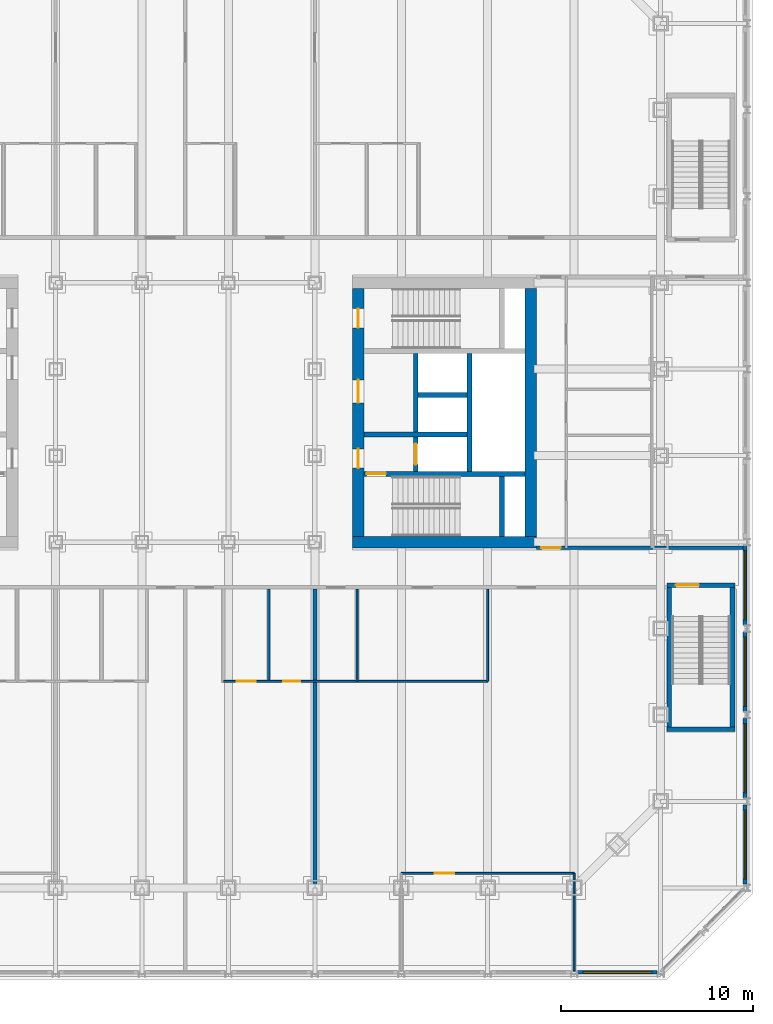
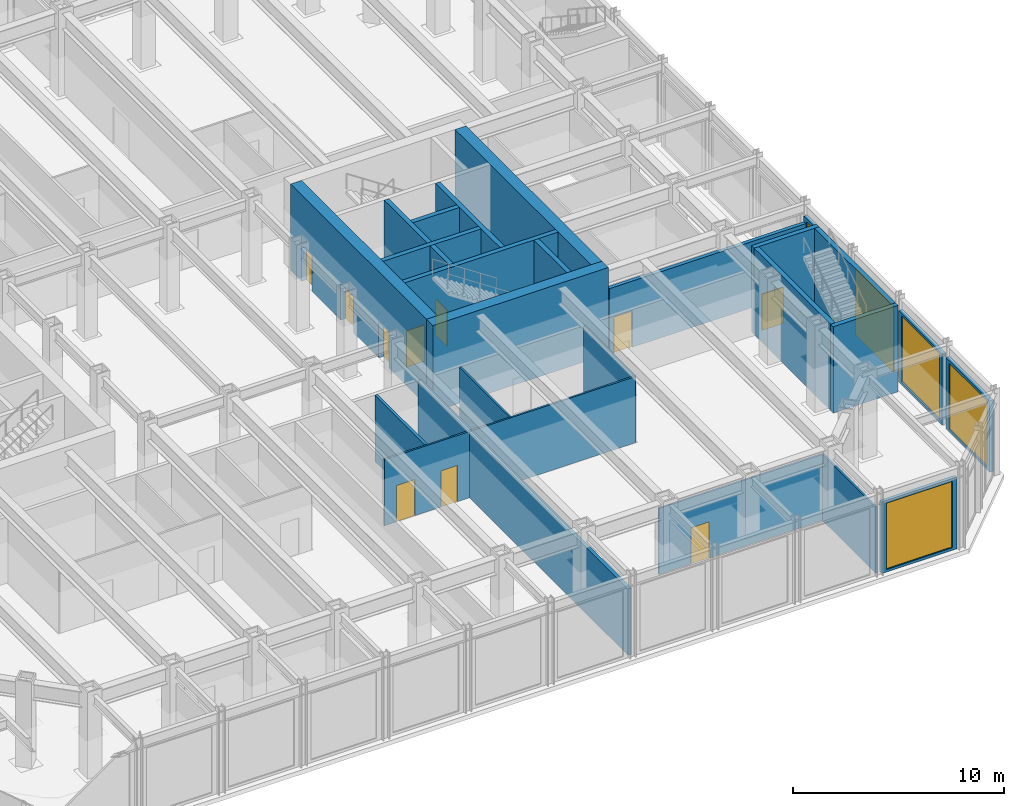
# One storey, part 12 of 19: 27 walls, 10 doors, 5 windows, 15 openings.
"""IFC4 building model written with IfcOpenShell, lengths in metres."""

from ifc_helpers import new_model, si_unit, direction, frame, frame_2d, origin, place, context, subcontext, project, spatial, rectangle, extrude, material, layer, layer_set, type_object, element, fill, save


model = new_model("IFC4")

# Units and contexts
model_context = context("Model", 3, precision=1e-05, world=origin(), true_north=direction((0.0, 1.0)))
body_context = subcontext(model_context, "Body", "Model", "MODEL_VIEW")
ifc_project = project(units=[si_unit("LENGTHUNIT", "METRE"), si_unit("AREAUNIT", "SQUARE_METRE"), si_unit("VOLUMEUNIT", "CUBIC_METRE"), si_unit("PLANEANGLEUNIT", "RADIAN"), si_unit("MASSUNIT", "GRAM", prefix="KILO")], contexts=[model_context])

# Site, building, storey
site_placement = place(None, origin())
site = spatial("IfcSite", under=ifc_project, at=site_placement, CompositionType="ELEMENT")
building_placement = place(site_placement, origin())
building = spatial("IfcBuilding", under=site, at=building_placement, Name="Msasa Ring Tower", CompositionType="ELEMENT")
storey_placement = place(building_placement, frame((0.0, 0.0, 11.0)))
storey = spatial("IfcBuildingStorey", under=building, at=storey_placement, Name="L02", CompositionType="ELEMENT", Elevation=11.0)

# Wall
ifc_material_1 = material(Name="Concrete C60/75", Category="concrete")
ifc_layer_1 = layer(ifc_material_1, 0.60009765625)
ifc_layer_set_1 = layer_set([ifc_layer_1], Name="CW1 CORE WALL 600")
wall_type_1 = type_object("IfcWallType", Name="CW1 CORE WALL 600", PredefinedType="SHEAR", material=ifc_layer_set_1)
wall_1_placement = place(storey_placement, frame((8.699951171875, -6.75, 0.0), z_axis=(0.0, 0.0, 1.0), x_axis=(1.0, 0.0, 0.0)))
element("IfcWall", 1, at=wall_1_placement, inside=storey, type_object=wall_type_1, Name="E core wall S L02", PredefinedType="SHEAR", context=body_context, shape_type="SweptSolid", body=[
    extrude(rectangle(XDim=9.60009765625, YDim=0.60009765625, at=frame_2d((4.800048828125, 0.0))), origin(), (0.0, 0.0, 1.0), 5.0),
])

# Wall, openings, doors
wall_2_placement = place(storey_placement, frame((9.0, -6.449951171875, 0.0), z_axis=(0.0, 0.0, 1.0), x_axis=(0.0, 1.0, 0.0)))
wall_2 = element("IfcWall", 2, at=wall_2_placement, inside=storey, type_object=wall_type_1, Name="E core wall W L02", PredefinedType="SHEAR", context=body_context, shape_type="SweptSolid", body=[
    extrude(rectangle(XDim=12.89990234375, YDim=0.60009765625, at=frame_2d((6.449951171875, 0.0))), origin(), (0.0, 0.0, 1.0), 5.0),
])
opening_1_placement = place(wall_2_placement, frame((3.550048828125, 0.0, 0.0)))
opening_1 = element("IfcOpeningElement", 3, at=opening_1_placement, cuts=wall_2, Name="Opening L02-031", PredefinedType="OPENING", context=body_context, shape_type="SweptSolid", body=[
    extrude(rectangle(XDim=1.0, YDim=2.10009765625, at=frame_2d((0.5, 1.050048828125))), frame((0.0, 0.31005859375, 0.0), z_axis=(0.0, -1.0, 0.0), x_axis=(1.0, 0.0, 0.0)), (0.0, 0.0, 1.0), 0.6201171875),
])
opening_2_placement = place(wall_2_placement, frame((6.949951171875, 0.0, 0.0)))
opening_2 = element("IfcOpeningElement", 4, at=opening_2_placement, cuts=wall_2, Name="Opening L02-027", PredefinedType="OPENING", context=body_context, shape_type="SweptSolid", body=[
    extrude(rectangle(XDim=1.199951171875, YDim=2.10009765625, at=frame_2d((0.60009765625, 1.050048828125))), frame((0.0, 0.31005859375, 0.0), z_axis=(0.0, -1.0, 0.0), x_axis=(1.0, 0.0, 0.0)), (0.0, 0.0, 1.0), 0.6201171875),
])
opening_3_placement = place(wall_2_placement, frame((10.85009765625, 0.0, 0.0)))
opening_3 = element("IfcOpeningElement", 5, at=opening_3_placement, cuts=wall_2, Name="Opening L02-023", PredefinedType="OPENING", context=body_context, shape_type="SweptSolid", body=[
    extrude(rectangle(XDim=1.0, YDim=2.10009765625, at=frame_2d((0.5, 1.050048828125))), frame((0.0, 0.31005859375, 0.0), z_axis=(0.0, -1.0, 0.0), x_axis=(1.0, 0.0, 0.0)), (0.0, 0.0, 1.0), 0.6201171875),
])
ifc_material_2 = material(Name="Timber door leaf in a steel frame", Category="steel")
door_type_1 = type_object("IfcDoorType", Name="D4 LOBBY DOOR 1000x2100", OperationType="SINGLE_SWING_LEFT", PredefinedType="DOOR", material=ifc_material_2)
door_1_placement = place(opening_1_placement, origin())
door_1 = element("IfcDoor", 6, at=door_1_placement, inside=storey, type_object=door_type_1, Name="Door L02-EFFL", OperationType="SINGLE_SWING_LEFT", OverallHeight=2.10009765625, OverallWidth=1.0, PredefinedType="DOOR", context=body_context, shape_type="SweptSolid", body=[
    extrude(rectangle(XDim=1.0, YDim=2.10009765625, at=frame_2d((0.5, 1.050048828125))), frame((0.0, 0.02490234375, 0.0), z_axis=(0.0, -1.0, 0.0), x_axis=(1.0, 0.0, 0.0)), (0.0, 0.0, 1.0), 0.050048828125),
])
fill(opening_1, door_1)
ifc_material_3 = material(Name="Timber door leaf in a steel frame", Category="steel")
door_type_2 = type_object("IfcDoorType", Name="D5 WIDE LOBBY DOOR 1200x2100", OperationType="SINGLE_SWING_LEFT", PredefinedType="DOOR", material=ifc_material_3)
door_2_placement = place(opening_2_placement, origin())
door_2 = element("IfcDoor", 7, at=door_2_placement, inside=storey, type_object=door_type_2, Name="Door L02-ELL", OperationType="SINGLE_SWING_RIGHT", OverallHeight=2.10009765625, OverallWidth=1.199951171875, PredefinedType="DOOR", context=body_context, shape_type="SweptSolid", body=[
    extrude(rectangle(XDim=1.199951171875, YDim=2.10009765625, at=frame_2d((0.60009765625, 1.050048828125))), frame((0.0, 0.02490234375, 0.0), z_axis=(0.0, -1.0, 0.0), x_axis=(1.0, 0.0, 0.0)), (0.0, 0.0, 1.0), 0.050048828125),
])
fill(opening_2, door_2)
ifc_material_4 = material(Name="Timber door leaf in a steel frame", Category="steel")
door_type_3 = type_object("IfcDoorType", Name="D6 STAIR DOOR 1000x2100", OperationType="SINGLE_SWING_LEFT", PredefinedType="DOOR", material=ifc_material_4)
door_3_placement = place(opening_3_placement, origin())
door_3 = element("IfcDoor", 8, at=door_3_placement, inside=storey, type_object=door_type_3, Name="Door L02-ESTB", OperationType="SINGLE_SWING_RIGHT", OverallHeight=2.10009765625, OverallWidth=1.0, PredefinedType="DOOR", context=body_context, shape_type="SweptSolid", body=[
    extrude(rectangle(XDim=1.0, YDim=2.10009765625, at=frame_2d((0.5, 1.050048828125))), frame((0.0, 0.02490234375, 0.0), z_axis=(0.0, -1.0, 0.0), x_axis=(1.0, 0.0, 0.0)), (0.0, 0.0, 1.0), 0.050048828125),
])
fill(opening_3, door_3)

# Wall
wall_3_placement = place(storey_placement, frame((18.0, -6.449951171875, 0.0), z_axis=(0.0, 0.0, 1.0), x_axis=(0.0, 1.0, 0.0)))
element("IfcWall", 9, at=wall_3_placement, inside=storey, type_object=wall_type_1, Name="E core wall E L02", PredefinedType="SHEAR", context=body_context, shape_type="SweptSolid", body=[
    extrude(rectangle(XDim=12.89990234375, YDim=0.60009765625, at=frame_2d((6.449951171875, 0.0))), origin(), (0.0, 0.0, 1.0), 5.0),
])

# Wall, opening, door
ifc_material_5 = material(Name="Concrete C60/75", Category="concrete")
ifc_layer_2 = layer(ifc_material_5, 0.25)
ifc_layer_set_2 = layer_set([ifc_layer_2], Name="CW4 CORE INNER WALL 250")
wall_type_2 = type_object("IfcWallType", Name="CW4 CORE INNER WALL 250", PredefinedType="SHEAR", material=ifc_layer_set_2)
wall_4_placement = place(storey_placement, frame((9.300048828125, -3.199951171875, 0.0), z_axis=(0.0, 0.0, 1.0), x_axis=(1.0, 0.0, 0.0)))
wall_4 = element("IfcWall", 10, at=wall_4_placement, inside=storey, type_object=wall_type_2, Name="E core wall STAIRA L02", PredefinedType="SHEAR", context=body_context, shape_type="SweptSolid", body=[
    extrude(rectangle(XDim=8.39990234375, YDim=0.25, at=frame_2d((4.199951171875, 0.0))), origin(), (0.0, 0.0, 1.0), 5.0),
])
opening_4_placement = place(wall_4_placement, frame((0.14990234375, 0.0, 0.0)))
opening_4 = element("IfcOpeningElement", 11, at=opening_4_placement, cuts=wall_4, Name="Opening L02-033", PredefinedType="OPENING", context=body_context, shape_type="SweptSolid", body=[
    extrude(rectangle(XDim=1.0, YDim=2.10009765625, at=frame_2d((0.5, 1.050048828125))), frame((0.0, 0.135009765625, 0.0), z_axis=(0.0, -1.0, 0.0), x_axis=(1.0, 0.0, 0.0)), (0.0, 0.0, 1.0), 0.27001953125),
])
door_4_placement = place(opening_4_placement, origin())
door_4 = element("IfcDoor", 12, at=door_4_placement, inside=storey, type_object=door_type_3, Name="Door L02-ESTA", OperationType="SINGLE_SWING_LEFT", OverallHeight=2.10009765625, OverallWidth=1.0, PredefinedType="DOOR", context=body_context, shape_type="SweptSolid", body=[
    extrude(rectangle(XDim=1.0, YDim=2.10009765625, at=frame_2d((0.5, 1.050048828125))), frame((0.0, 0.02490234375, 0.0), z_axis=(0.0, -1.0, 0.0), x_axis=(1.0, 0.0, 0.0)), (0.0, 0.0, 1.0), 0.050048828125),
])
fill(opening_4, door_4)

# Walls
wall_5_placement = place(storey_placement, frame((16.5, -6.449951171875, 0.0), z_axis=(0.0, 0.0, 1.0), x_axis=(0.0, 1.0, 0.0)))
element("IfcWall", 13, at=wall_5_placement, inside=storey, type_object=wall_type_2, Name="E core wall RISERA L02", PredefinedType="SHEAR", context=body_context, shape_type="SweptSolid", body=[
    extrude(rectangle(XDim=3.125, YDim=0.25, at=frame_2d((1.5625, 0.0))), origin(), (0.0, 0.0, 1.0), 5.0),
])
wall_6_placement = place(storey_placement, frame((9.300048828125, -1.14990234375, 0.0), z_axis=(0.0, 0.0, 1.0), x_axis=(1.0, 0.0, 0.0)))
element("IfcWall", 14, at=wall_6_placement, inside=storey, type_object=wall_type_2, Name="E core wall FFL L02", PredefinedType="SHEAR", context=body_context, shape_type="SweptSolid", body=[
    extrude(rectangle(XDim=5.375, YDim=0.25, at=frame_2d((2.6875, 0.0))), origin(), (0.0, 0.0, 1.0), 5.0),
])

# Wall, opening, door
wall_7_placement = place(storey_placement, frame((12.0, -3.074951171875, 0.0), z_axis=(0.0, 0.0, 1.0), x_axis=(0.0, 1.0, 0.0)))
wall_7 = element("IfcWall", 15, at=wall_7_placement, inside=storey, type_object=wall_type_2, Name="E core wall LOBBY L02", PredefinedType="SHEAR", context=body_context, shape_type="SweptSolid", body=[
    extrude(rectangle(XDim=6.14990234375, YDim=0.25, at=frame_2d((3.074951171875, 0.0))), origin(), (0.0, 0.0, 1.0), 5.0),
])
opening_5_placement = place(wall_7_placement, frame((0.35009765625, 0.0, 0.0)))
opening_5 = element("IfcOpeningElement", 16, at=opening_5_placement, cuts=wall_7, Name="Opening LD1", PredefinedType="OPENING", context=body_context, shape_type="SweptSolid", body=[
    extrude(rectangle(XDim=1.10009765625, YDim=2.10009765625, at=frame_2d((0.550048828125, 1.050048828125))), frame((0.0, 0.135009765625, 0.0), z_axis=(0.0, -1.0, 0.0), x_axis=(1.0, 0.0, 0.0)), (0.0, 0.0, 1.0), 0.27001953125),
])
ifc_material_6 = material(Name="Stainless steel lift landing door", Category="steel")
door_type_4 = type_object("IfcDoorType", Name="LD1 LIFT LANDING DOOR 1100x2100", OperationType="DOUBLE_DOOR_SLIDING", PredefinedType="DOOR", material=ifc_material_6)
door_5_placement = place(opening_5_placement, origin())
door_5 = element("IfcDoor", 17, at=door_5_placement, inside=storey, type_object=door_type_4, Name="Lift landing door FL-E L02", OperationType="DOUBLE_DOOR_SLIDING", OverallHeight=2.10009765625, OverallWidth=1.10009765625, PredefinedType="DOOR", context=body_context, shape_type="SweptSolid", body=[
    extrude(rectangle(XDim=1.10009765625, YDim=2.10009765625, at=frame_2d((0.550048828125, 1.050048828125))), frame((0.0, 0.02490234375, 0.0), z_axis=(0.0, -1.0, 0.0), x_axis=(1.0, 0.0, 0.0)), (0.0, 0.0, 1.0), 0.050048828125),
])
fill(opening_5, door_5)

# Walls
wall_8_placement = place(storey_placement, frame((14.800048828125, -3.074951171875, 0.0), z_axis=(0.0, 0.0, 1.0), x_axis=(0.0, 1.0, 0.0)))
element("IfcWall", 18, at=wall_8_placement, inside=storey, type_object=wall_type_2, Name="E core wall SHAFT L02", PredefinedType="SHEAR", context=body_context, shape_type="SweptSolid", body=[
    extrude(rectangle(XDim=6.14990234375, YDim=0.25, at=frame_2d((3.074951171875, 0.0))), origin(), (0.0, 0.0, 1.0), 5.0),
])
wall_9_placement = place(storey_placement, frame((12.125, 0.89990234375, 0.0), z_axis=(0.0, 0.0, 1.0), x_axis=(1.0, 0.0, 0.0)))
element("IfcWall", 19, at=wall_9_placement, inside=storey, type_object=wall_type_2, Name="E core wall LIFT1 L02", PredefinedType="SHEAR", context=body_context, shape_type="SweptSolid", body=[
    extrude(rectangle(XDim=2.550048828125, YDim=0.25, at=frame_2d((1.27490234375, 0.0))), origin(), (0.0, 0.0, 1.0), 5.0),
])

# Wall, opening, window
ifc_material_7 = material(Name="Terracotta rainscreen on blockwork", Category="masonry")
ifc_layer_3 = layer(ifc_material_7, 0.199951171875)
ifc_layer_set_3 = layer_set([ifc_layer_3], Name="FW2 TERRACOTTA PODIUM BAY WALL 200")
wall_type_3 = type_object("IfcWallType", Name="FW2 TERRACOTTA PODIUM BAY WALL 200", PredefinedType="SOLIDWALL", material=ifc_layer_set_3)
wall_10_placement = place(storey_placement, frame((20.437744140625, -29.14990234375, 0.0), z_axis=(0.0, 0.0, 1.0), x_axis=(1.0, 0.0, 0.0)))
wall_10 = element("IfcWall", 20, at=wall_10_placement, inside=storey, type_object=wall_type_3, Name="Podium bay wall S L02 10", PredefinedType="SOLIDWALL", context=body_context, shape_type="SweptSolid", body=[
    extrude(rectangle(XDim=4.12451171875, YDim=0.199951171875, at=frame_2d((2.062255859375, 0.0))), origin(), (0.0, 0.0, 1.0), 4.1328125),
])
opening_6_placement = place(wall_10_placement, frame((0.26220703125, 0.0, 0.14990234375)))
opening_6 = element("IfcOpeningElement", 21, at=opening_6_placement, cuts=wall_10, Name="Opening SF3", PredefinedType="OPENING", context=body_context, shape_type="SweptSolid", body=[
    extrude(rectangle(XDim=3.60009765625, YDim=3.8330078125, at=frame_2d((1.800048828125, 1.91650390625))), frame((0.0, 0.10986328125, 0.0), z_axis=(0.0, -1.0, 0.0), x_axis=(1.0, 0.0, 0.0)), (0.0, 0.0, 1.0), 0.219970703125),
])
ifc_material_8 = material(Name="Aluminium frame with clear glass", Category="aluminium")
window_type = type_object("IfcWindowType", Name="SF3 SHOPFRONT GLAZING 3600x3833", PartitioningType="SINGLE_PANEL", PredefinedType="WINDOW", material=ifc_material_8)
window_1_placement = place(opening_6_placement, origin())
window_1 = element("IfcWindow", 22, at=window_1_placement, inside=storey, type_object=window_type, Name="Shopfront glazing S L02 10", OverallHeight=3.8330078125, OverallWidth=3.60009765625, PartitioningType="SINGLE_PANEL", PredefinedType="WINDOW", context=body_context, shape_type="SweptSolid", body=[
    extrude(rectangle(XDim=3.60009765625, YDim=3.8330078125, at=frame_2d((1.800048828125, 1.91650390625))), frame((0.0, 0.030029296875, 0.0), z_axis=(0.0, -1.0, 0.0), x_axis=(1.0, 0.0, 0.0)), (0.0, 0.0, 1.0), 0.06005859375),
])
fill(opening_6, window_1)

wall_11_placement = place(storey_placement, frame((29.14990234375, -24.562255859375, 0.0), z_axis=(0.0, 0.0, 1.0), x_axis=(0.0, 1.0, 0.0)))
wall_11 = element("IfcWall", 23, at=wall_11_placement, inside=storey, type_object=wall_type_3, Name="Podium bay wall E L02 13", PredefinedType="SOLIDWALL", context=body_context, shape_type="SweptSolid", body=[
    extrude(rectangle(XDim=4.12451171875, YDim=0.199951171875, at=frame_2d((2.062255859375, 0.0))), origin(), (0.0, 0.0, 1.0), 4.1328125),
])
opening_7_placement = place(wall_11_placement, frame((0.26220703125, 0.0, 0.14990234375)))
opening_7 = element("IfcOpeningElement", 24, at=opening_7_placement, cuts=wall_11, Name="Opening SF3", PredefinedType="OPENING", context=body_context, shape_type="SweptSolid", body=[
    extrude(rectangle(XDim=3.60009765625, YDim=3.8330078125, at=frame_2d((1.800048828125, 1.91650390625))), frame((0.0, 0.10986328125, 0.0), z_axis=(0.0, -1.0, 0.0), x_axis=(1.0, 0.0, 0.0)), (0.0, 0.0, 1.0), 0.219970703125),
])
window_2_placement = place(opening_7_placement, origin())
window_2 = element("IfcWindow", 25, at=window_2_placement, inside=storey, type_object=window_type, Name="Shopfront glazing E L02 13", OverallHeight=3.8330078125, OverallWidth=3.60009765625, PartitioningType="SINGLE_PANEL", PredefinedType="WINDOW", context=body_context, shape_type="SweptSolid", body=[
    extrude(rectangle(XDim=3.60009765625, YDim=3.8330078125, at=frame_2d((1.800048828125, 1.91650390625))), frame((0.0, 0.030029296875, 0.0), z_axis=(0.0, -1.0, 0.0), x_axis=(1.0, 0.0, 0.0)), (0.0, 0.0, 1.0), 0.06005859375),
])
fill(opening_7, window_2)

wall_12_placement = place(storey_placement, frame((29.14990234375, -20.062255859375, 0.0), z_axis=(0.0, 0.0, 1.0), x_axis=(0.0, 1.0, 0.0)))
wall_12 = element("IfcWall", 26, at=wall_12_placement, inside=storey, type_object=wall_type_3, Name="Podium bay wall E L02 14", PredefinedType="SOLIDWALL", context=body_context, shape_type="SweptSolid", body=[
    extrude(rectangle(XDim=4.124755859375, YDim=0.199951171875, at=frame_2d((2.0625, 0.0))), origin(), (0.0, 0.0, 1.0), 4.1328125),
])
opening_8_placement = place(wall_12_placement, frame((0.26220703125, 0.0, 0.14990234375)))
opening_8 = element("IfcOpeningElement", 27, at=opening_8_placement, cuts=wall_12, Name="Opening SF3", PredefinedType="OPENING", context=body_context, shape_type="SweptSolid", body=[
    extrude(rectangle(XDim=3.60009765625, YDim=3.8330078125, at=frame_2d((1.800048828125, 1.91650390625))), frame((0.0, 0.10986328125, 0.0), z_axis=(0.0, -1.0, 0.0), x_axis=(1.0, 0.0, 0.0)), (0.0, 0.0, 1.0), 0.219970703125),
])
window_3_placement = place(opening_8_placement, origin())
window_3 = element("IfcWindow", 28, at=window_3_placement, inside=storey, type_object=window_type, Name="Shopfront glazing E L02 14", OverallHeight=3.8330078125, OverallWidth=3.60009765625, PartitioningType="SINGLE_PANEL", PredefinedType="WINDOW", context=body_context, shape_type="SweptSolid", body=[
    extrude(rectangle(XDim=3.60009765625, YDim=3.8330078125, at=frame_2d((1.800048828125, 1.91650390625))), frame((0.0, 0.030029296875, 0.0), z_axis=(0.0, -1.0, 0.0), x_axis=(1.0, 0.0, 0.0)), (0.0, 0.0, 1.0), 0.06005859375),
])
fill(opening_8, window_3)

wall_13_placement = place(storey_placement, frame((29.14990234375, -15.5625, 0.0), z_axis=(0.0, 0.0, 1.0), x_axis=(0.0, 1.0, 0.0)))
wall_13 = element("IfcWall", 29, at=wall_13_placement, inside=storey, type_object=wall_type_3, Name="Podium bay wall E L02 15", PredefinedType="SOLIDWALL", context=body_context, shape_type="SweptSolid", body=[
    extrude(rectangle(XDim=4.125, YDim=0.199951171875, at=frame_2d((2.0625, 0.0))), origin(), (0.0, 0.0, 1.0), 4.1328125),
])
opening_9_placement = place(wall_13_placement, frame((0.262451171875, 0.0, 0.14990234375)))
opening_9 = element("IfcOpeningElement", 30, at=opening_9_placement, cuts=wall_13, Name="Opening SF3", PredefinedType="OPENING", context=body_context, shape_type="SweptSolid", body=[
    extrude(rectangle(XDim=3.60009765625, YDim=3.8330078125, at=frame_2d((1.800048828125, 1.91650390625))), frame((0.0, 0.10986328125, 0.0), z_axis=(0.0, -1.0, 0.0), x_axis=(1.0, 0.0, 0.0)), (0.0, 0.0, 1.0), 0.219970703125),
])
window_4_placement = place(opening_9_placement, origin())
window_4 = element("IfcWindow", 31, at=window_4_placement, inside=storey, type_object=window_type, Name="Shopfront glazing E L02 15", OverallHeight=3.8330078125, OverallWidth=3.60009765625, PartitioningType="SINGLE_PANEL", PredefinedType="WINDOW", context=body_context, shape_type="SweptSolid", body=[
    extrude(rectangle(XDim=3.60009765625, YDim=3.8330078125, at=frame_2d((1.800048828125, 1.91650390625))), frame((0.0, 0.030029296875, 0.0), z_axis=(0.0, -1.0, 0.0), x_axis=(1.0, 0.0, 0.0)), (0.0, 0.0, 1.0), 0.06005859375),
])
fill(opening_9, window_4)

wall_14_placement = place(storey_placement, frame((29.14990234375, -11.0625, 0.0), z_axis=(0.0, 0.0, 1.0), x_axis=(0.0, 1.0, 0.0)))
wall_14 = element("IfcWall", 32, at=wall_14_placement, inside=storey, type_object=wall_type_3, Name="Podium bay wall E L02 16", PredefinedType="SOLIDWALL", context=body_context, shape_type="SweptSolid", body=[
    extrude(rectangle(XDim=4.125, YDim=0.199951171875, at=frame_2d((2.0625, 0.0))), origin(), (0.0, 0.0, 1.0), 4.1328125),
])
opening_10_placement = place(wall_14_placement, frame((0.262451171875, 0.0, 0.14990234375)))
opening_10 = element("IfcOpeningElement", 33, at=opening_10_placement, cuts=wall_14, Name="Opening SF3", PredefinedType="OPENING", context=body_context, shape_type="SweptSolid", body=[
    extrude(rectangle(XDim=3.60009765625, YDim=3.8330078125, at=frame_2d((1.800048828125, 1.91650390625))), frame((0.0, 0.10986328125, 0.0), z_axis=(0.0, -1.0, 0.0), x_axis=(1.0, 0.0, 0.0)), (0.0, 0.0, 1.0), 0.219970703125),
])
window_5_placement = place(opening_10_placement, origin())
window_5 = element("IfcWindow", 34, at=window_5_placement, inside=storey, type_object=window_type, Name="Shopfront glazing E L02 16", OverallHeight=3.8330078125, OverallWidth=3.60009765625, PartitioningType="SINGLE_PANEL", PredefinedType="WINDOW", context=body_context, shape_type="SweptSolid", body=[
    extrude(rectangle(XDim=3.60009765625, YDim=3.8330078125, at=frame_2d((1.800048828125, 1.91650390625))), frame((0.0, 0.030029296875, 0.0), z_axis=(0.0, -1.0, 0.0), x_axis=(1.0, 0.0, 0.0)), (0.0, 0.0, 1.0), 0.06005859375),
])
fill(opening_10, window_5)

# Wall, opening, door
ifc_material_9 = material(Name="Concrete blockwork", Category="masonry")
ifc_layer_4 = layer(ifc_material_9, 0.199951171875)
ifc_layer_set_4 = layer_set([ifc_layer_4], Name="PT1 CORRIDOR WALL 200")
wall_type_4 = type_object("IfcWallType", Name="PT1 CORRIDOR WALL 200", PredefinedType="PARTITIONING", material=ifc_layer_set_4)
wall_15_placement = place(storey_placement, frame((18.300048828125, -7.050048828125, 0.0), z_axis=(0.0, 0.0, 1.0), x_axis=(1.0, 0.0, 0.0)))
wall_15 = element("IfcWall", 35, at=wall_15_placement, inside=storey, type_object=wall_type_4, Name="Corridor wall L02-STRES", PredefinedType="PARTITIONING", context=body_context, shape_type="SweptSolid", body=[
    extrude(rectangle(XDim=10.75, YDim=0.199951171875, at=frame_2d((5.375, 0.0))), origin(), (0.0, 0.0, 1.0), 3.8291015625),
])
opening_11_placement = place(wall_15_placement, frame((0.25, 0.0, 0.0)))
opening_11 = element("IfcOpeningElement", 36, at=opening_11_placement, cuts=wall_15, Name="Opening L02-037", PredefinedType="OPENING", context=body_context, shape_type="SweptSolid", body=[
    extrude(rectangle(XDim=1.0, YDim=2.10009765625, at=frame_2d((0.5, 1.050048828125))), frame((0.0, 0.10986328125, 0.0), z_axis=(0.0, -1.0, 0.0), x_axis=(1.0, 0.0, 0.0)), (0.0, 0.0, 1.0), 0.219970703125),
])
ifc_material_10 = material(Name="Timber door leaf in a steel frame", Category="steel")
door_type_5 = type_object("IfcDoorType", Name="D12 WC DOOR 1000x2100", OperationType="SINGLE_SWING_LEFT", PredefinedType="DOOR", material=ifc_material_10)
door_6_placement = place(opening_11_placement, origin())
door_6 = element("IfcDoor", 37, at=door_6_placement, inside=storey, type_object=door_type_5, Name="Door L02-WLES", OperationType="SINGLE_SWING_LEFT", OverallHeight=2.10009765625, OverallWidth=1.0, PredefinedType="DOOR", context=body_context, shape_type="SweptSolid", body=[
    extrude(rectangle(XDim=1.0, YDim=2.10009765625, at=frame_2d((0.5, 1.050048828125))), frame((0.0, 0.02490234375, 0.0), z_axis=(0.0, -1.0, 0.0), x_axis=(1.0, 0.0, 0.0)), (0.0, 0.0, 1.0), 0.050048828125),
])
fill(opening_11, door_6)

# Wall, openings, doors
ifc_material_11 = material(Name="Gypsum board on steel studs", Category="steel")
ifc_layer_5 = layer(ifc_material_11, 0.10009765625)
ifc_layer_set_5 = layer_set([ifc_layer_5], Name="PT2 STUD PARTITION 100")
wall_type_5 = type_object("IfcWallType", Name="PT2 STUD PARTITION 100", PredefinedType="PARTITIONING", material=ifc_layer_set_5)
wall_16_placement = place(storey_placement, frame((2.0, -14.0, 0.0), z_axis=(0.0, 0.0, 1.0), x_axis=(1.0, 0.0, 0.0)))
wall_16 = element("IfcWall", 38, at=wall_16_placement, inside=storey, type_object=wall_type_5, Name="Partition L02-PDS2BY", PredefinedType="PARTITIONING", context=body_context, shape_type="SweptSolid", body=[
    extrude(rectangle(XDim=4.75, YDim=0.10009765625, at=frame_2d((2.375, 0.0))), origin(), (0.0, 0.0, 1.0), 3.8291015625),
])
opening_12_placement = place(wall_16_placement, frame((3.10009765625, 0.0, 0.0)))
opening_12 = element("IfcOpeningElement", 39, at=opening_12_placement, cuts=wall_16, Name="Opening L02-052", PredefinedType="OPENING", context=body_context, shape_type="SweptSolid", body=[
    extrude(rectangle(XDim=0.89990234375, YDim=2.10009765625, at=frame_2d((0.449951171875, 1.050048828125))), frame((0.0, 0.06005859375, 0.0), z_axis=(0.0, -1.0, 0.0), x_axis=(1.0, 0.0, 0.0)), (0.0, 0.0, 1.0), 0.1201171875),
])
opening_13_placement = place(wall_16_placement, frame((0.675048828125, 0.0, 0.0)))
opening_13 = element("IfcOpeningElement", 40, at=opening_13_placement, cuts=wall_16, Name="Opening L02-051", PredefinedType="OPENING", context=body_context, shape_type="SweptSolid", body=[
    extrude(rectangle(XDim=1.0, YDim=2.10009765625, at=frame_2d((0.5, 1.050048828125))), frame((0.0, 0.06005859375, 0.0), z_axis=(0.0, -1.0, 0.0), x_axis=(1.0, 0.0, 0.0)), (0.0, 0.0, 1.0), 0.1201171875),
])
door_7_placement = place(opening_13_placement, origin())
door_7 = element("IfcDoor", 41, at=door_7_placement, inside=storey, type_object=door_type_5, Name="Door L02-PDS2B1", OperationType="SINGLE_SWING_LEFT", OverallHeight=2.10009765625, OverallWidth=1.0, PredefinedType="DOOR", context=body_context, shape_type="SweptSolid", body=[
    extrude(rectangle(XDim=1.0, YDim=2.10009765625, at=frame_2d((0.5, 1.050048828125))), frame((0.0, 0.02490234375, 0.0), z_axis=(0.0, -1.0, 0.0), x_axis=(1.0, 0.0, 0.0)), (0.0, 0.0, 1.0), 0.050048828125),
])
fill(opening_13, door_7)
ifc_material_12 = material(Name="Timber door leaf in a steel frame", Category="steel")
door_type_6 = type_object("IfcDoorType", Name="D22 INTERNAL HALL DOOR 900x2100", OperationType="SINGLE_SWING_LEFT", PredefinedType="DOOR", material=ifc_material_12)
door_8_placement = place(opening_12_placement, origin())
door_8 = element("IfcDoor", 42, at=door_8_placement, inside=storey, type_object=door_type_6, Name="Door L02-PDS2B0", OperationType="SINGLE_SWING_RIGHT", OverallHeight=2.10009765625, OverallWidth=0.89990234375, PredefinedType="DOOR", context=body_context, shape_type="SweptSolid", body=[
    extrude(rectangle(XDim=0.89990234375, YDim=2.10009765625, at=frame_2d((0.449951171875, 1.050048828125))), frame((0.0, 0.02490234375, 0.0), z_axis=(0.0, -1.0, 0.0), x_axis=(1.0, 0.0, 0.0)), (0.0, 0.0, 1.0), 0.050048828125),
])
fill(opening_12, door_8)

# Walls
wall_17_placement = place(storey_placement, frame((6.75, -14.0, 0.0), z_axis=(0.0, 0.0, 1.0), x_axis=(1.0, 0.0, 0.0)))
element("IfcWall", 43, at=wall_17_placement, inside=storey, type_object=wall_type_5, Name="Partition L02-PDS3BY", PredefinedType="PARTITIONING", context=body_context, shape_type="SweptSolid", body=[
    extrude(rectangle(XDim=9.0, YDim=0.10009765625, at=frame_2d((4.5, 0.0))), origin(), (0.0, 0.0, 1.0), 3.8291015625),
])
for number, where, z_axis, x_axis, name in (
    (44, (8.949951171875, -14.0, 0.0), (0.0, 0.0, 1.0), (0.0, 1.0, 0.0), "Partition L02-PDS3BX+8.95"),
    (45, (15.75, -14.0, 0.0), (0.0, 0.0, 1.0), (0.0, 1.0, 0.0), "Partition L02-PDS3BX+15.75"),
):
    element("IfcWall", number, at=place(storey_placement, frame(where, z_axis=z_axis, x_axis=x_axis)), inside=storey, type_object=wall_type_5, Name=name, PredefinedType="PARTITIONING", context=body_context, shape_type="SweptSolid", body=[
        extrude(rectangle(XDim=4.800048828125, YDim=0.10009765625, at=frame_2d((2.39990234375, 0.0))), origin(), (0.0, 0.0, 1.0), 3.8291015625),
    ])
wall_18_placement = place(storey_placement, frame((20.25, -29.0888671875, 0.0), z_axis=(0.0, 0.0, 1.0), x_axis=(0.0, 1.0, 0.0)))
element("IfcWall", 46, at=wall_18_placement, inside=storey, type_object=wall_type_5, Name="Partition L02-PDS3FX+20.25", PredefinedType="PARTITIONING", context=body_context, shape_type="SweptSolid", body=[
    extrude(rectangle(XDim=5.0888671875, YDim=0.10009765625, at=frame_2d((2.54443359375, 0.0))), origin(), (0.0, 0.0, 1.0), 3.8291015625),
])

# Wall, opening, door
wall_19_placement = place(storey_placement, frame((11.25, -24.0, 0.0), z_axis=(0.0, 0.0, 1.0), x_axis=(1.0, 0.0, 0.0)))
wall_19 = element("IfcWall", 47, at=wall_19_placement, inside=storey, type_object=wall_type_5, Name="Partition L02-PDS3FY0", PredefinedType="PARTITIONING", context=body_context, shape_type="SweptSolid", body=[
    extrude(rectangle(XDim=9.0, YDim=0.10009765625, at=frame_2d((4.5, 0.0))), origin(), (0.0, 0.0, 1.0), 3.8291015625),
])
opening_14_placement = place(wall_19_placement, frame((1.75, 0.0, 0.0)))
opening_14 = element("IfcOpeningElement", 48, at=opening_14_placement, cuts=wall_19, Name="Opening L02-054", PredefinedType="OPENING", context=body_context, shape_type="SweptSolid", body=[
    extrude(rectangle(XDim=1.0, YDim=2.10009765625, at=frame_2d((0.5, 1.050048828125))), frame((0.0, 0.06005859375, 0.0), z_axis=(0.0, -1.0, 0.0), x_axis=(1.0, 0.0, 0.0)), (0.0, 0.0, 1.0), 0.1201171875),
])
ifc_material_13 = material(Name="Timber door leaf in a steel frame", Category="steel")
door_type_7 = type_object("IfcDoorType", Name="D27 INTERNAL STORE DOOR 1000x2100", OperationType="SINGLE_SWING_LEFT", PredefinedType="DOOR", material=ifc_material_13)
door_9_placement = place(opening_14_placement, origin())
door_9 = element("IfcDoor", 49, at=door_9_placement, inside=storey, type_object=door_type_7, Name="Door L02-PDS3F0", OperationType="SINGLE_SWING_LEFT", OverallHeight=2.10009765625, OverallWidth=1.0, PredefinedType="DOOR", context=body_context, shape_type="SweptSolid", body=[
    extrude(rectangle(XDim=1.0, YDim=2.10009765625, at=frame_2d((0.5, 1.050048828125))), frame((0.0, 0.02490234375, 0.0), z_axis=(0.0, -1.0, 0.0), x_axis=(1.0, 0.0, 0.0)), (0.0, 0.0, 1.0), 0.050048828125),
])
fill(opening_14, door_9)

# Walls
ifc_material_14 = material(Name="Dense concrete blockwork, plastered both faces", Category="masonry")
ifc_layer_6 = layer(ifc_material_14, 0.25)
ifc_layer_set_6 = layer_set([ifc_layer_6], Name="PT3 APARTMENT SEPARATING WALL 250")
wall_type_6 = type_object("IfcWallType", Name="PT3 APARTMENT SEPARATING WALL 250", PredefinedType="PARTITIONING", material=ifc_layer_set_6)
wall_20_placement = place(storey_placement, frame((6.75, -29.0888671875, 0.0), z_axis=(0.0, 0.0, 1.0), x_axis=(0.0, 1.0, 0.0)))
element("IfcWall", 50, at=wall_20_placement, inside=storey, type_object=wall_type_6, Name="Party wall L02-PWS+6.75", PredefinedType="PARTITIONING", context=body_context, shape_type="SweptSolid", body=[
    extrude(rectangle(XDim=19.888916015625, YDim=0.199951171875, at=frame_2d((9.9443359375, 0.0))), origin(), (0.0, 0.0, 1.0), 3.8291015625),
])
ifc_material_15 = material(Name="Moisture-resistant board on steel studs with a concealed cistern and pipe void, tiled", Category="steel")
ifc_layer_7 = layer(ifc_material_15, 0.14990234375)
ifc_layer_set_7 = layer_set([ifc_layer_7], Name="PT4 BATHROOM WET WALL 150")
wall_type_7 = type_object("IfcWallType", Name="PT4 BATHROOM WET WALL 150", PredefinedType="PARTITIONING", material=ifc_layer_set_7)
wall_21_placement = place(storey_placement, frame((4.35009765625, -14.0, 0.0), z_axis=(0.0, 0.0, 1.0), x_axis=(0.0, 1.0, 0.0)))
element("IfcWall", 51, at=wall_21_placement, inside=storey, type_object=wall_type_7, Name="Partition L02-PDS2BX+4.35", PredefinedType="PARTITIONING", context=body_context, shape_type="SweptSolid", body=[
    extrude(rectangle(XDim=4.800048828125, YDim=0.14990234375, at=frame_2d((2.39990234375, 0.0))), origin(), (0.0, 0.0, 1.0), 3.8291015625),
])
ifc_material_16 = material(Name="Concrete C60/75", Category="concrete")
ifc_layer_8 = layer(ifc_material_16, 0.25)
ifc_layer_set_8 = layer_set([ifc_layer_8], Name="SW1 STAIR WALL 250")
wall_type_8 = type_object("IfcWallType", Name="SW1 STAIR WALL 250", PredefinedType="SHEAR", material=ifc_layer_set_8)
wall_22_placement = place(storey_placement, frame((25.074951171875, -16.5, 0.0), z_axis=(0.0, 0.0, 1.0), x_axis=(1.0, 0.0, 0.0)))
element("IfcWall", 52, at=wall_22_placement, inside=storey, type_object=wall_type_8, Name="Podium stair ES wall S L02", PredefinedType="SHEAR", context=body_context, shape_type="SweptSolid", body=[
    extrude(rectangle(XDim=3.550048828125, YDim=0.25, at=frame_2d((1.77490234375, 0.0))), origin(), (0.0, 0.0, 1.0), 5.0),
])

# Wall, opening, door
wall_23_placement = place(storey_placement, frame((25.074951171875, -9.0, 0.0), z_axis=(0.0, 0.0, 1.0), x_axis=(1.0, 0.0, 0.0)))
wall_23 = element("IfcWall", 53, at=wall_23_placement, inside=storey, type_object=wall_type_8, Name="Podium stair ES wall N L02", PredefinedType="SHEAR", context=body_context, shape_type="SweptSolid", body=[
    extrude(rectangle(XDim=3.550048828125, YDim=0.25, at=frame_2d((1.77490234375, 0.0))), origin(), (0.0, 0.0, 1.0), 5.0),
])
opening_15_placement = place(wall_23_placement, frame((0.47509765625, 0.0, 0.0)))
opening_15 = element("IfcOpeningElement", 54, at=opening_15_placement, cuts=wall_23, Name="Opening L02-039", PredefinedType="OPENING", context=body_context, shape_type="SweptSolid", body=[
    extrude(rectangle(XDim=1.199951171875, YDim=2.10009765625, at=frame_2d((0.60009765625, 1.050048828125))), frame((0.0, 0.135009765625, 0.0), z_axis=(0.0, -1.0, 0.0), x_axis=(1.0, 0.0, 0.0)), (0.0, 0.0, 1.0), 0.27001953125),
])
ifc_material_17 = material(Name="Timber door leaf in a steel frame", Category="steel")
door_type_8 = type_object("IfcDoorType", Name="D7 WIDE STAIR DOOR 1200x2100", OperationType="SINGLE_SWING_LEFT", PredefinedType="DOOR", material=ifc_material_17)
door_10_placement = place(opening_15_placement, origin())
door_10 = element("IfcDoor", 55, at=door_10_placement, inside=storey, type_object=door_type_8, Name="Door L02-PSTES", OperationType="SINGLE_SWING_LEFT", OverallHeight=2.10009765625, OverallWidth=1.199951171875, PredefinedType="DOOR", context=body_context, shape_type="SweptSolid", body=[
    extrude(rectangle(XDim=1.199951171875, YDim=2.10009765625, at=frame_2d((0.60009765625, 1.050048828125))), frame((0.0, 0.02490234375, 0.0), z_axis=(0.0, -1.0, 0.0), x_axis=(1.0, 0.0, 0.0)), (0.0, 0.0, 1.0), 0.050048828125),
])
fill(opening_15, door_10)

# Walls
for number, where, z_axis, x_axis, name in (
    (56, (25.199951171875, -16.375, 0.0), (0.0, 0.0, 1.0), (0.0, 1.0, 0.0), "Podium stair ES wall W L02"),
    (57, (28.5, -16.375, 0.0), (0.0, 0.0, 1.0), (0.0, 1.0, 0.0), "Podium stair ES wall E L02"),
):
    element("IfcWall", number, at=place(storey_placement, frame(where, z_axis=z_axis, x_axis=x_axis)), inside=storey, type_object=wall_type_8, Name=name, PredefinedType="SHEAR", context=body_context, shape_type="SweptSolid", body=[
        extrude(rectangle(XDim=7.25, YDim=0.25, at=frame_2d((3.625, 0.0))), origin(), (0.0, 0.0, 1.0), 5.0),
    ])

save(model, "model.ifc")
